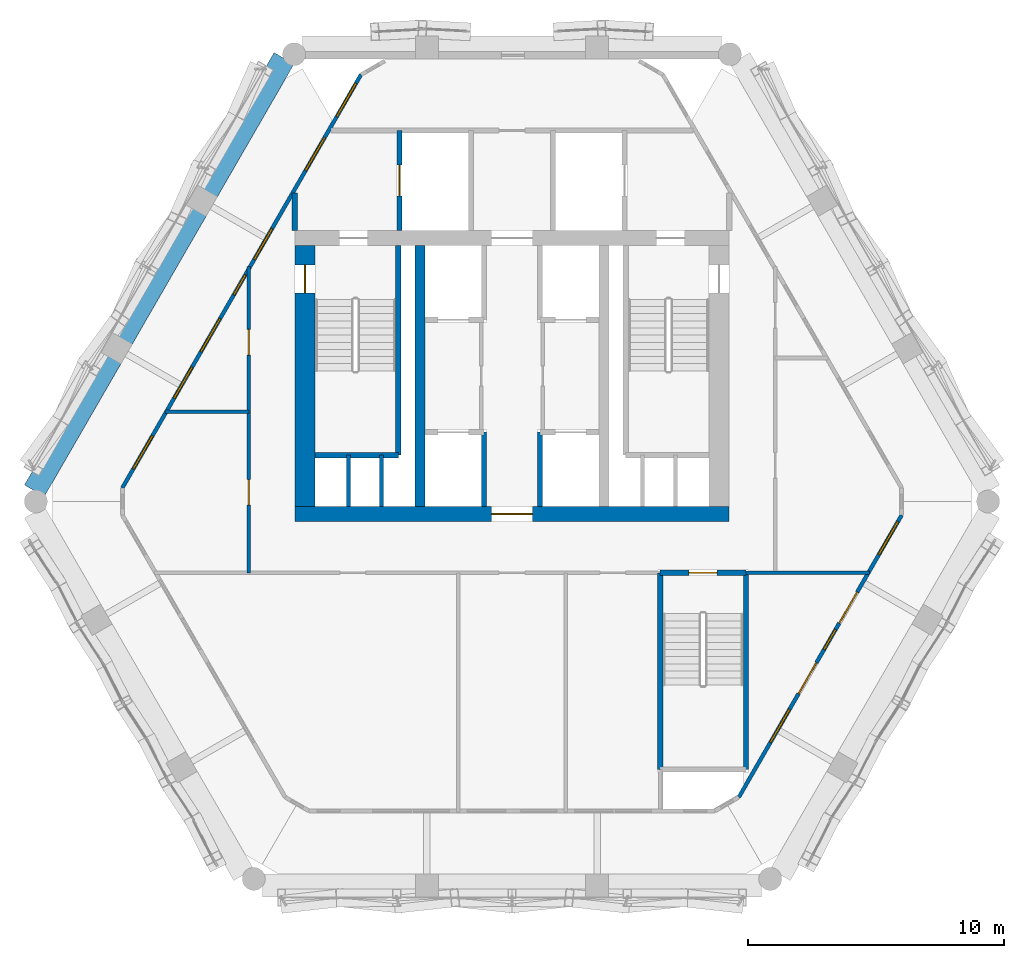
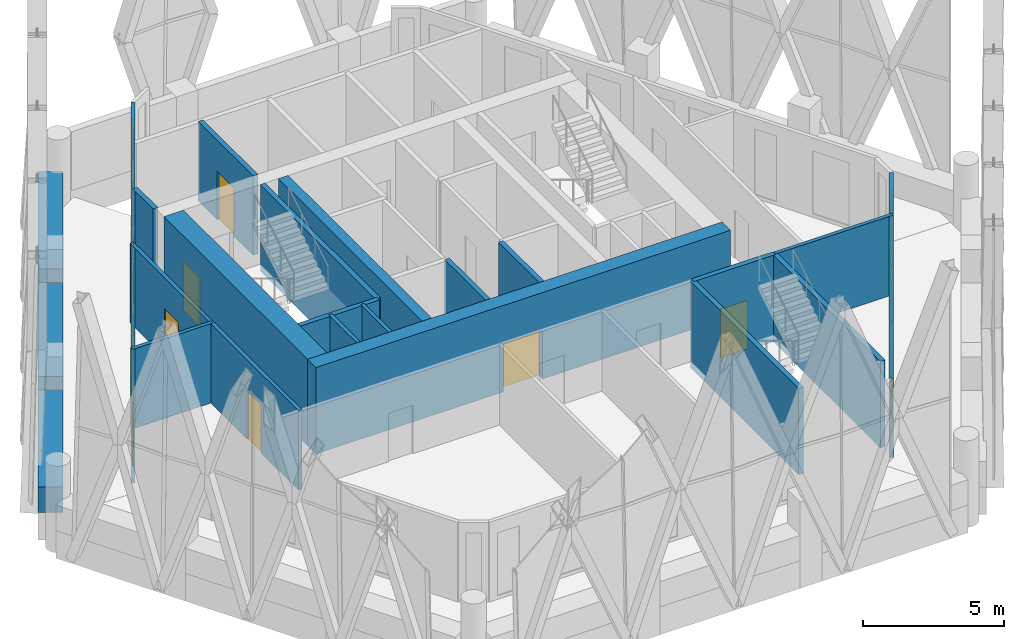
# One storey, part 13 of 21: 22 walls, 10 windows, 8 doors, 18 openings.
"""IFC4 building model written with IfcOpenShell, lengths in metres."""

import ifcopenshell
import ifcopenshell.guid

model = None  # the IFC model being written
_history = None  # IfcOwnerHistory: only IFC2X3 demands one
_inside = {}  # id of a spatial element -> (the spatial element, [elements in it])
_under = {}  # id of a project, library or spatial element -> (it, [spatial elements below it])
_declared = {}  # id of a project -> (the project, [libraries it declares])
_typed = {}  # id of a type object -> (the type object, [elements of that type])
_made_of = {}  # id of a material, layer set ... -> (it, [elements and type objects made of it])


def new_model(schema):
    """Start an empty IFC model of exactly this schema.

    Asked for "IFC4X3", IfcOpenShell would pick the latest addendum, in which some entities
    have other attributes; the version numbers below select the first issue.
    IFC2X3 requires an IfcOwnerHistory on every rooted entity: one is made here for all.
    """
    global model, _history
    if schema == "IFC4X3":
        model = ifcopenshell.file(schema_version=(4, 3, 0, 0))
    else:
        model = ifcopenshell.file(schema=schema)
    _inside.clear()
    _under.clear()
    _declared.clear()
    _typed.clear()
    _made_of.clear()
    _history = None
    if model.schema == "IFC2X3":
        org = make("IfcOrganization", Name="unknown")
        user = make(
            "IfcPersonAndOrganization",
            ThePerson=make("IfcPerson", FamilyName="unknown"),
            TheOrganization=org,
        )
        app = make(
            "IfcApplication",
            ApplicationDeveloper=org,
            Version="unknown",
            ApplicationFullName="unknown",
            ApplicationIdentifier="unknown",
        )
        _history = make(
            "IfcOwnerHistory",
            OwningUser=user,
            OwningApplication=app,
            ChangeAction="ADDED",
            CreationDate=0,
        )
    return model


def make(cls, **values):
    """One entity of the class cls with the attributes given. An attribute that is None is left unset."""
    return model.create_entity(
        cls, **{name: value for name, value in values.items() if value is not None}
    )


def rooted(cls, **values):
    """An entity with a GlobalId (a new one), such as an element, a storey or a relation."""
    return make(cls, GlobalId=ifcopenshell.guid.new(), OwnerHistory=_history, **values)


def si_unit(unit_type, name, prefix=None):
    """IfcSIUnit, for example si_unit("LENGTHUNIT", "METRE", prefix="MILLI")."""
    return make("IfcSIUnit", UnitType=unit_type, Prefix=prefix, Name=name)


def assignment(units):
    """IfcUnitAssignment: the units of a project."""
    return None if units is None else make("IfcUnitAssignment", Units=units)


def point(xyz):
    """IfcCartesianPoint."""
    return None if xyz is None else make("IfcCartesianPoint", Coordinates=xyz)


def direction(xyz):
    """IfcDirection."""
    return None if xyz is None else make("IfcDirection", DirectionRatios=xyz)


def frame(location, z_axis=None, x_axis=None):
    """IfcAxis2Placement3D, a coordinate frame: its origin and axes. An axis left out is left unset."""
    return make(
        "IfcAxis2Placement3D",
        Location=point(location),
        Axis=direction(z_axis),
        RefDirection=direction(x_axis),
    )


def frame_2d(location, x_axis=None):
    """IfcAxis2Placement2D, a coordinate frame in the plane: its origin and x axis."""
    return make(
        "IfcAxis2Placement2D", Location=point(location), RefDirection=direction(x_axis)
    )


def origin():
    """The frame at (0, 0, 0) with its axes left unset."""
    return frame((0.0, 0.0, 0.0))


def place(relative_to, where):
    """IfcLocalPlacement: puts the frame where relative to a parent placement (None: the world)."""
    return make(
        "IfcLocalPlacement", PlacementRelTo=relative_to, RelativePlacement=where
    )


def context(
    kind, dimensions, precision=None, world=None, true_north=None, identifier=None
):
    """IfcGeometricRepresentationContext, for example the 3D "Model" context."""
    return make(
        "IfcGeometricRepresentationContext",
        ContextIdentifier=identifier,
        ContextType=kind,
        CoordinateSpaceDimension=dimensions,
        Precision=precision,
        WorldCoordinateSystem=world,
        TrueNorth=true_north,
    )


def subcontext(parent, identifier, kind, view, scale=None):
    """IfcGeometricRepresentationSubContext, for example "Body" below "Model"."""
    return make(
        "IfcGeometricRepresentationSubContext",
        ContextIdentifier=identifier,
        ContextType=kind,
        ParentContext=parent,
        TargetScale=scale,
        TargetView=view,
    )


def project(units=None, contexts=None):
    """IfcProject with its units and contexts."""
    return rooted(
        "IfcProject",
        Name="project",
        RepresentationContexts=contexts,
        UnitsInContext=assignment(units),
    )


def spatial(cls, under=None, at=None, **own):
    """A site, building, storey or space (cls), placed at a placement, below another one or the project."""
    s = rooted(cls, ObjectPlacement=at, **own)
    if under is not None:
        _under.setdefault(under.id(), (under, []))[1].append(s)
    return s


def profile(cls, at=None, kind="AREA", **sizes):
    """A parametric profile (cls). Its sizes go by their IFC names, for example OverallWidth=200.0."""
    return make(cls, ProfileType=kind, Position=at, **sizes)


def rectangle(**sizes):
    """IfcRectangleProfileDef."""
    return profile("IfcRectangleProfileDef", **sizes)


def extrude(swept, where, along, depth):
    """IfcExtrudedAreaSolid: the profile swept, set in the frame where, extruded along a direction by depth."""
    return make(
        "IfcExtrudedAreaSolid",
        SweptArea=swept,
        Position=where,
        ExtrudedDirection=direction(along),
        Depth=depth,
    )


def shape(context_of_items, identifier, shape_type, items):
    """IfcShapeRepresentation: the items that make up one representation, for example the "Body"."""
    return make(
        "IfcShapeRepresentation",
        ContextOfItems=context_of_items,
        RepresentationIdentifier=identifier,
        RepresentationType=shape_type,
        Items=items,
    )


def material(Name=None, Category=None):
    """IfcMaterial."""
    return make("IfcMaterial", Name=Name, Category=Category)


def layer(
    of_material, thickness, ventilated=None, Name=None, Category=None, Priority=None
):
    """IfcMaterialLayer: one layer of a wall or slab, of a material (None: an air gap)."""
    return make(
        "IfcMaterialLayer",
        Material=of_material,
        LayerThickness=thickness,
        IsVentilated=ventilated,
        Name=Name,
        Category=Category,
        Priority=Priority,
    )


def layer_set(layers, Name=None):
    """IfcMaterialLayerSet."""
    return make("IfcMaterialLayerSet", MaterialLayers=layers, LayerSetName=Name)


def made_of(thing, what):
    """Note that an element or type object is made of a material, layer set ...; save() writes the relation."""
    if what is not None:
        _made_of.setdefault(what.id(), (what, []))[1].append(thing)
    return thing


def type_object(cls, material=None, **own):
    """A type object (cls), such as IfcWallType, which elements share."""
    return made_of(rooted(cls, **own), material)


def element(
    cls,
    number,
    at=None,
    inside=None,
    cuts=None,
    type_object=None,
    material=None,
    context=None,
    identifier="Body",
    shape_type=None,
    held_by="IfcProductDefinitionShape",
    body=None,
    shapes=None,
    **own,
):
    """One element of the class cls, such as IfcWall. Its Tag is "e" and its number.

    at: its placement. inside: the storey or other place that contains it. cuts: it is an
    opening in that element (IfcRelVoidsElement). A single representation is given by context,
    identifier, shape_type and body (its items); several are given by shapes. held_by: the class
    of the entity that holds the representations. save() writes the other relations.
    """
    e = rooted(cls, Tag="e%d" % number, ObjectPlacement=at, **own)
    if body is not None:
        shapes = [shape(context, identifier, shape_type, body)]
    if shapes is not None:
        e.Representation = make(held_by, Representations=shapes)
    if inside is not None:
        _inside.setdefault(inside.id(), (inside, []))[1].append(e)
    if cuts is not None:
        rooted(
            "IfcRelVoidsElement", RelatingBuildingElement=cuts, RelatedOpeningElement=e
        )
    if type_object is not None:
        _typed.setdefault(type_object.id(), (type_object, []))[1].append(e)
    return made_of(e, material)


def fill(opening, filler):
    """IfcRelFillsElement: the door or window that sits in an opening."""
    return rooted(
        "IfcRelFillsElement",
        RelatingOpeningElement=opening,
        RelatedBuildingElement=filler,
    )


def aggregate(whole, parts):
    """IfcRelAggregates: a whole, such as a stair, and the parts it consists of."""
    return rooted("IfcRelAggregates", RelatingObject=whole, RelatedObjects=parts)


def save(model, path):
    """Write the relations noted so far, then the file.

    IfcRelAggregates (storeys below a building ...), IfcRelContainedInSpatialStructure (elements
    in a storey), IfcRelDefinesByType, IfcRelAssociatesMaterial and IfcRelDeclares: one each for
    every whole, place, type object, material and project.
    """
    for whole, parts in _under.values():
        aggregate(whole, parts)
    for where, things in _inside.values():
        rooted(
            "IfcRelContainedInSpatialStructure",
            RelatedElements=things,
            RelatingStructure=where,
        )
    for kind, things in _typed.values():
        rooted("IfcRelDefinesByType", RelatedObjects=things, RelatingType=kind)
    for what, things in _made_of.values():
        rooted("IfcRelAssociatesMaterial", RelatedObjects=things, RelatingMaterial=what)
    for by, libraries in _declared.values():
        rooted("IfcRelDeclares", RelatingContext=by, RelatedDefinitions=libraries)
    model.write(path)


model = new_model("IFC4")

# Units and contexts
model_context = context("Model", 3, precision=1e-05, world=origin(), true_north=direction((0.0, 1.0)))
body_context = subcontext(model_context, "Body", "Model", "MODEL_VIEW")
ifc_project = project(units=[si_unit("LENGTHUNIT", "METRE"), si_unit("AREAUNIT", "SQUARE_METRE"), si_unit("VOLUMEUNIT", "CUBIC_METRE"), si_unit("PLANEANGLEUNIT", "RADIAN"), si_unit("MASSUNIT", "GRAM", prefix="KILO")], contexts=[model_context])

# Site, building, storey
site_placement = place(None, origin())
site = spatial("IfcSite", under=ifc_project, at=site_placement, CompositionType="ELEMENT")
building_placement = place(site_placement, origin())
building = spatial("IfcBuilding", under=site, at=building_placement, Name="Ostrander Bayou Hotel Tower", CompositionType="ELEMENT")
storey_placement = place(building_placement, frame((0.0, 0.0, 256.25)))
storey = spatial("IfcBuildingStorey", under=building, at=storey_placement, Name="L63", CompositionType="ELEMENT", Elevation=256.25)

# Wall, opening, door
ifc_material_1 = material(Name="Concrete f'c 60 MPa", Category="concrete")
ifc_layer_1 = layer(ifc_material_1, 0.60009765625)
ifc_layer_set_1 = layer_set([ifc_layer_1], Name="CW10 core wall 600 mm f'c 60 MPa")
wall_type_1 = type_object("IfcWallType", Name="CW10 core wall 600 mm f'c 60 MPa", PredefinedType="SHEAR", material=ifc_layer_set_1)
wall_1_placement = place(storey_placement, frame((-8.5, -1.39990234375, -0.300048828125), z_axis=(0.0, 0.0, 1.0), x_axis=(1.0, 0.0, 0.0)))
wall_1 = element("IfcWall", 1, at=wall_1_placement, inside=storey, type_object=wall_type_1, Name="CW10 L63 S", PredefinedType="SHEAR", context=body_context, shape_type="SweptSolid", body=[
    extrude(rectangle(XDim=17.0, YDim=0.60009765625, at=frame_2d((8.5, 0.0))), origin(), (0.0, 0.0, 1.0), 3.75),
])
opening_1_placement = place(wall_1_placement, frame((7.699951171875, 0.0, 0.0)))
opening_1 = element("IfcOpeningElement", 2, at=opening_1_placement, cuts=wall_1, Name="Opening T63-005", PredefinedType="OPENING", context=body_context, shape_type="SweptSolid", body=[
    extrude(rectangle(XDim=1.60009765625, YDim=2.10009765625, at=frame_2d((0.800048828125, 1.050048828125))), frame((0.0, 0.300048828125, 0.0), z_axis=(0.0, -1.0, 0.0), x_axis=(1.0, 0.0, 0.0)), (0.0, 0.0, 1.0), 0.60009765625),
])
ifc_material_2 = material(Name="Timber door leaf", Category="wood")
door_type_1 = type_object("IfcDoorType", Name="D13 double door 1600 x 2100 mm, 1 hour", OperationType="SINGLE_SWING_LEFT", PredefinedType="DOOR", material=ifc_material_2)
door_1_placement = place(opening_1_placement, origin())
door_1 = element("IfcDoor", 3, at=door_1_placement, inside=storey, type_object=door_type_1, Name="dr:L63:005", OperationType="DOUBLE_DOOR_SINGLE_SWING", OverallHeight=2.10009765625, OverallWidth=1.60009765625, PredefinedType="DOOR", context=body_context, shape_type="SweptSolid", body=[
    extrude(rectangle(XDim=1.60009765625, YDim=2.10009765625, at=frame_2d((0.800048828125, 1.050048828125))), frame((0.0, 0.02490234375, 0.0), z_axis=(0.0, -1.0, 0.0), x_axis=(1.0, 0.0, 0.0)), (0.0, 0.0, 1.0), 0.050048828125),
])
fill(opening_1, door_1)

ifc_material_3 = material(Name="Concrete f'c 60 MPa", Category="concrete")
ifc_layer_2 = layer(ifc_material_3, 0.800048828125)
ifc_layer_set_2 = layer_set([ifc_layer_2], Name="CW11 core spine wall 800 mm f'c 60 MPa")
wall_type_2 = type_object("IfcWallType", Name="CW11 core spine wall 800 mm f'c 60 MPa", PredefinedType="SHEAR", material=ifc_layer_set_2)
wall_2_placement = place(storey_placement, frame((-8.10009765625, -1.10009765625, -0.300048828125), z_axis=(0.0, 0.0, 1.0), x_axis=(0.0, 1.0, 0.0)))
wall_2 = element("IfcWall", 4, at=wall_2_placement, inside=storey, type_object=wall_type_2, Name="CW11 L63 W", PredefinedType="SHEAR", context=body_context, shape_type="SweptSolid", body=[
    extrude(rectangle(XDim=10.2001953125, YDim=0.800048828125, at=frame_2d((5.10009765625, 0.0))), origin(), (0.0, 0.0, 1.0), 3.75),
])
opening_2_placement = place(wall_2_placement, frame((8.35009765625, 0.0, 0.0)))
opening_2 = element("IfcOpeningElement", 5, at=opening_2_placement, cuts=wall_2, Name="Opening T63-008", PredefinedType="OPENING", context=body_context, shape_type="SweptSolid", body=[
    extrude(rectangle(XDim=1.10009765625, YDim=2.10009765625, at=frame_2d((0.550048828125, 1.050048828125))), frame((0.0, 0.39990234375, 0.0), z_axis=(0.0, -1.0, 0.0), x_axis=(1.0, 0.0, 0.0)), (0.0, 0.0, 1.0), 0.800048828125),
])
ifc_material_4 = material(Name="Timber door leaf", Category="wood")
door_type_2 = type_object("IfcDoorType", Name="D5 stair door 1100 x 2100 mm, 90 minute", OperationType="SINGLE_SWING_LEFT", PredefinedType="DOOR", material=ifc_material_4)
door_2_placement = place(opening_2_placement, origin())
door_2 = element("IfcDoor", 6, at=door_2_placement, inside=storey, type_object=door_type_2, Name="dr:L63:008", OperationType="SINGLE_SWING_RIGHT", OverallHeight=2.10009765625, OverallWidth=1.10009765625, PredefinedType="DOOR", context=body_context, shape_type="SweptSolid", body=[
    extrude(rectangle(XDim=1.10009765625, YDim=2.10009765625, at=frame_2d((0.550048828125, 1.050048828125))), frame((0.0, 0.02490234375, 0.0), z_axis=(0.0, -1.0, 0.0), x_axis=(1.0, 0.0, 0.0)), (0.0, 0.0, 1.0), 0.050048828125),
])
fill(opening_2, door_2)

# Wall
ifc_material_5 = material(Name="Concrete f'c 60 MPa", Category="concrete")
ifc_layer_3 = layer(ifc_material_5, 0.39990234375)
ifc_layer_set_3 = layer_set([ifc_layer_3], Name="CW12 core bank wall 400 mm f'c 60 MPa")
wall_type_3 = type_object("IfcWallType", Name="CW12 core bank wall 400 mm f'c 60 MPa", PredefinedType="SHEAR", material=ifc_layer_set_3)
wall_3_placement = place(storey_placement, frame((-3.60009765625, -1.10009765625, -0.300048828125), z_axis=(0.0, 0.0, 1.0), x_axis=(0.0, 1.0, 0.0)))
element("IfcWall", 7, at=wall_3_placement, inside=storey, type_object=wall_type_3, Name="CW12 L63 CW", PredefinedType="SHEAR", context=body_context, shape_type="SweptSolid", body=[
    extrude(rectangle(XDim=10.2001953125, YDim=0.39990234375, at=frame_2d((5.10009765625, 0.0))), origin(), (0.0, 0.0, 1.0), 3.75),
])

# Wall, openings, windows
ifc_material_6 = material(Name="Aluminium framed insulated wall", Category="aluminium")
ifc_layer_4 = layer(ifc_material_6, 0.14990234375)
ifc_layer_set_4 = layer_set([ifc_layer_4], Name="GW1 glass-line wall 150 mm")
wall_type_4 = type_object("IfcWallType", Name="GW1 glass-line wall 150 mm", PredefinedType="SOLIDWALL", material=ifc_layer_set_4)
wall_4_placement = place(storey_placement, frame((-5.909423828125, 15.79248046875, 0.0), z_axis=(0.0, 0.0, 1.0), x_axis=(-0.500006153997, -0.866021850744, 0.0)))
wall_4 = element("IfcWall", 8, at=wall_4_placement, inside=storey, type_object=wall_type_4, Name="GW1 L63 NW 1", PredefinedType="SOLIDWALL", context=body_context, shape_type="SweptSolid", body=[
    extrude(rectangle(XDim=18.672607421875, YDim=0.14990234375, at=frame_2d((9.33642578125, 0.0))), origin(), (0.0, 0.0, 1.0), 3.449951171875),
])
opening_3_placement = place(wall_4_placement, frame((2.83837890625, 0.0, 0.14990234375)))
opening_3 = element("IfcOpeningElement", 9, at=opening_3_placement, cuts=wall_4, Name="Opening W4", PredefinedType="OPENING", context=body_context, shape_type="SweptSolid", body=[
    extrude(rectangle(XDim=1.5, YDim=2.85009765625, at=frame_2d((0.75, 1.425048828125))), frame((0.0, 0.074951171875, 0.0), z_axis=(0.0, -1.0, 0.0), x_axis=(1.0, 0.0, 0.0)), (0.0, 0.0, 1.0), 0.14990234375),
])
opening_4_placement = place(wall_4_placement, frame((9.052978515625, 0.0, 0.14990234375)))
opening_4 = element("IfcOpeningElement", 10, at=opening_4_placement, cuts=wall_4, Name="Opening W18", PredefinedType="OPENING", context=body_context, shape_type="SweptSolid", body=[
    extrude(rectangle(XDim=0.89990234375, YDim=2.85009765625, at=frame_2d((0.449951171875, 1.425048828125))), frame((0.0, 0.074951171875, 0.0), z_axis=(0.0, -1.0, 0.0), x_axis=(1.0, 0.0, 0.0)), (0.0, 0.0, 1.0), 0.14990234375),
])
opening_5_placement = place(wall_4_placement, frame((6.952880859375, 0.0, 0.14990234375)))
opening_5 = element("IfcOpeningElement", 11, at=opening_5_placement, cuts=wall_4, Name="Opening W14", PredefinedType="OPENING", context=body_context, shape_type="SweptSolid", body=[
    extrude(rectangle(XDim=1.39990234375, YDim=2.85009765625, at=frame_2d((0.699951171875, 1.425048828125))), frame((0.0, 0.074951171875, 0.0), z_axis=(0.0, -1.0, 0.0), x_axis=(1.0, 0.0, 0.0)), (0.0, 0.0, 1.0), 0.14990234375),
])
opening_6_placement = place(wall_4_placement, frame((11.02197265625, 0.0, 0.14990234375)))
opening_6 = element("IfcOpeningElement", 12, at=opening_6_placement, cuts=wall_4, Name="Opening W4", PredefinedType="OPENING", context=body_context, shape_type="SweptSolid", body=[
    extrude(rectangle(XDim=1.5, YDim=2.85009765625, at=frame_2d((0.75, 1.425048828125))), frame((0.0, 0.074951171875, 0.0), z_axis=(0.0, -1.0, 0.0), x_axis=(1.0, 0.0, 0.0)), (0.0, 0.0, 1.0), 0.14990234375),
])
opening_7_placement = place(wall_4_placement, frame((13.221923828125, 0.0, 0.14990234375)))
opening_7 = element("IfcOpeningElement", 13, at=opening_7_placement, cuts=wall_4, Name="Opening W14", PredefinedType="OPENING", context=body_context, shape_type="SweptSolid", body=[
    extrude(rectangle(XDim=1.39990234375, YDim=2.85009765625, at=frame_2d((0.699951171875, 1.425048828125))), frame((0.0, 0.074951171875, 0.0), z_axis=(0.0, -1.0, 0.0), x_axis=(1.0, 0.0, 0.0)), (0.0, 0.0, 1.0), 0.14990234375),
])
opening_8_placement = place(wall_4_placement, frame((0.394287109375, 0.0, 0.14990234375)))
opening_8 = element("IfcOpeningElement", 14, at=opening_8_placement, cuts=wall_4, Name="Opening W4", PredefinedType="OPENING", context=body_context, shape_type="SweptSolid", body=[
    extrude(rectangle(XDim=1.5, YDim=2.72998046875, at=frame_2d((0.75, 1.364990234375))), frame((0.0, 0.074951171875, 0.0), z_axis=(0.0, -1.0, 0.0), x_axis=(1.0, 0.0, 0.0)), (0.0, 0.0, 1.0), 0.14990234375),
])
opening_9_placement = place(wall_4_placement, frame((16.31591796875, 0.0, 0.14990234375)))
opening_9 = element("IfcOpeningElement", 15, at=opening_9_placement, cuts=wall_4, Name="Opening W4", PredefinedType="OPENING", context=body_context, shape_type="SweptSolid", body=[
    extrude(rectangle(XDim=1.5, YDim=2.72998046875, at=frame_2d((0.75, 1.364990234375))), frame((0.0, 0.074951171875, 0.0), z_axis=(0.0, -1.0, 0.0), x_axis=(1.0, 0.0, 0.0)), (0.0, 0.0, 1.0), 0.14990234375),
])
ifc_material_7 = material(Name="Aluminium and clear glass", Category="aluminium")
window_type_1 = type_object("IfcWindowType", Name="W14 fixed window 1400 mm, bath bay, zone 4", PartitioningType="SINGLE_PANEL", PredefinedType="WINDOW", material=ifc_material_7)
window_1_placement = place(opening_5_placement, origin())
window_1 = element("IfcWindow", 16, at=window_1_placement, inside=storey, type_object=window_type_1, Name="W14 L63 NW 2", OverallHeight=2.85009765625, OverallWidth=1.39990234375, PartitioningType="SINGLE_PANEL", PredefinedType="WINDOW", context=body_context, shape_type="SweptSolid", body=[
    extrude(rectangle(XDim=1.39990234375, YDim=2.85009765625, at=frame_2d((0.699951171875, 1.425048828125))), frame((0.0, 0.030029296875, 0.0), z_axis=(0.0, -1.0, 0.0), x_axis=(1.0, 0.0, 0.0)), (0.0, 0.0, 1.0), 0.06005859375),
])
fill(opening_5, window_1)
window_2_placement = place(opening_7_placement, origin())
window_2 = element("IfcWindow", 17, at=window_2_placement, inside=storey, type_object=window_type_1, Name="W14 L63 NW 3", OverallHeight=2.85009765625, OverallWidth=1.39990234375, PartitioningType="SINGLE_PANEL", PredefinedType="WINDOW", context=body_context, shape_type="SweptSolid", body=[
    extrude(rectangle(XDim=1.39990234375, YDim=2.85009765625, at=frame_2d((0.699951171875, 1.425048828125))), frame((0.0, 0.030029296875, 0.0), z_axis=(0.0, -1.0, 0.0), x_axis=(1.0, 0.0, 0.0)), (0.0, 0.0, 1.0), 0.06005859375),
])
fill(opening_7, window_2)
ifc_material_8 = material(Name="Aluminium and clear glass", Category="aluminium")
window_type_2 = type_object("IfcWindowType", Name="W18 window 900 mm, zone 4", PartitioningType="SINGLE_PANEL", PredefinedType="WINDOW", material=ifc_material_8)
window_3_placement = place(opening_4_placement, origin())
window_3 = element("IfcWindow", 18, at=window_3_placement, inside=storey, type_object=window_type_2, Name="W18 L63 NW 2", OverallHeight=2.85009765625, OverallWidth=0.89990234375, PartitioningType="SINGLE_PANEL", PredefinedType="WINDOW", context=body_context, shape_type="SweptSolid", body=[
    extrude(rectangle(XDim=0.89990234375, YDim=2.85009765625, at=frame_2d((0.449951171875, 1.425048828125))), frame((0.0, 0.030029296875, 0.0), z_axis=(0.0, -1.0, 0.0), x_axis=(1.0, 0.0, 0.0)), (0.0, 0.0, 1.0), 0.06005859375),
])
fill(opening_4, window_3)
ifc_material_9 = material(Name="Aluminium and clear glass", Category="aluminium")
window_type_3 = type_object("IfcWindowType", Name="W4 fixed window 1500 mm, zone 4", PartitioningType="SINGLE_PANEL", PredefinedType="WINDOW", material=ifc_material_9)
window_4_placement = place(opening_3_placement, origin())
window_4 = element("IfcWindow", 19, at=window_4_placement, inside=storey, type_object=window_type_3, Name="W4 L63 NW 1", OverallHeight=2.85009765625, OverallWidth=1.5, PartitioningType="SINGLE_PANEL", PredefinedType="WINDOW", context=body_context, shape_type="SweptSolid", body=[
    extrude(rectangle(XDim=1.5, YDim=2.85009765625, at=frame_2d((0.75, 1.425048828125))), frame((0.0, 0.030029296875, 0.0), z_axis=(0.0, -1.0, 0.0), x_axis=(1.0, 0.0, 0.0)), (0.0, 0.0, 1.0), 0.06005859375),
])
fill(opening_3, window_4)
window_5_placement = place(opening_6_placement, origin())
window_5 = element("IfcWindow", 20, at=window_5_placement, inside=storey, type_object=window_type_3, Name="W4 L63 NW 3", OverallHeight=2.85009765625, OverallWidth=1.5, PartitioningType="SINGLE_PANEL", PredefinedType="WINDOW", context=body_context, shape_type="SweptSolid", body=[
    extrude(rectangle(XDim=1.5, YDim=2.85009765625, at=frame_2d((0.75, 1.425048828125))), frame((0.0, 0.030029296875, 0.0), z_axis=(0.0, -1.0, 0.0), x_axis=(1.0, 0.0, 0.0)), (0.0, 0.0, 1.0), 0.06005859375),
])
fill(opening_6, window_5)
window_6_placement = place(opening_8_placement, origin())
window_6 = element("IfcWindow", 21, at=window_6_placement, inside=storey, type_object=window_type_3, Name="W4 L63 NW E11", OverallHeight=2.72998046875, OverallWidth=1.5, PartitioningType="SINGLE_PANEL", PredefinedType="WINDOW", context=body_context, shape_type="SweptSolid", body=[
    extrude(rectangle(XDim=1.5, YDim=2.72998046875, at=frame_2d((0.75, 1.364990234375))), frame((0.0, 0.030029296875, 0.0), z_axis=(0.0, -1.0, 0.0), x_axis=(1.0, 0.0, 0.0)), (0.0, 0.0, 1.0), 0.06005859375),
])
fill(opening_8, window_6)
window_7_placement = place(opening_9_placement, origin())
window_7 = element("IfcWindow", 22, at=window_7_placement, inside=storey, type_object=window_type_3, Name="W4 L63 NW E21", OverallHeight=2.72998046875, OverallWidth=1.5, PartitioningType="SINGLE_PANEL", PredefinedType="WINDOW", context=body_context, shape_type="SweptSolid", body=[
    extrude(rectangle(XDim=1.5, YDim=2.72998046875, at=frame_2d((0.75, 1.364990234375))), frame((0.0, 0.030029296875, 0.0), z_axis=(0.0, -1.0, 0.0), x_axis=(1.0, 0.0, 0.0)), (0.0, 0.0, 1.0), 0.06005859375),
])
fill(opening_9, window_7)

# Wall, openings, doors, windows
wall_5_placement = place(storey_placement, frame((8.873046875, -12.4814453125, 0.0), z_axis=(0.0, 0.0, 1.0), x_axis=(0.500005990458, 0.866021945164, 0.0)))
wall_5 = element("IfcWall", 23, at=wall_5_placement, inside=storey, type_object=wall_type_4, Name="GW1 L63 SE 1", PredefinedType="SOLIDWALL", context=body_context, shape_type="SweptSolid", body=[
    extrude(rectangle(XDim=12.745361328125, YDim=0.14990234375, at=frame_2d((6.37255859375, 0.0))), origin(), (0.0, 0.0, 1.0), 3.449951171875),
])
opening_10_placement = place(wall_5_placement, frame((2.472900390625, 0.0, 0.14990234375)))
opening_10 = element("IfcOpeningElement", 24, at=opening_10_placement, cuts=wall_5, Name="Opening W4", PredefinedType="OPENING", context=body_context, shape_type="SweptSolid", body=[
    extrude(rectangle(XDim=1.5, YDim=2.85009765625, at=frame_2d((0.75, 1.425048828125))), frame((0.0, 0.074951171875, 0.0), z_axis=(0.0, -1.0, 0.0), x_axis=(1.0, 0.0, 0.0)), (0.0, 0.0, 1.0), 0.14990234375),
])
opening_11_placement = place(wall_5_placement, frame((4.6728515625, 0.0, 0.0)))
opening_11 = element("IfcOpeningElement", 25, at=opening_11_placement, cuts=wall_5, Name="Opening T63-800", PredefinedType="OPENING", context=body_context, shape_type="SweptSolid", body=[
    extrude(rectangle(XDim=1.39990234375, YDim=2.39990234375, at=frame_2d((0.699951171875, 1.199951171875))), frame((0.0, 0.074951171875, 0.0), z_axis=(0.0, -1.0, 0.0), x_axis=(1.0, 0.0, 0.0)), (0.0, 0.0, 1.0), 0.14990234375),
])
opening_12_placement = place(wall_5_placement, frame((6.6728515625, 0.0, 0.14990234375)))
opening_12 = element("IfcOpeningElement", 26, at=opening_12_placement, cuts=wall_5, Name="Opening W18", PredefinedType="OPENING", context=body_context, shape_type="SweptSolid", body=[
    extrude(rectangle(XDim=0.89990234375, YDim=2.85009765625, at=frame_2d((0.449951171875, 1.425048828125))), frame((0.0, 0.074951171875, 0.0), z_axis=(0.0, -1.0, 0.0), x_axis=(1.0, 0.0, 0.0)), (0.0, 0.0, 1.0), 0.14990234375),
])
opening_13_placement = place(wall_5_placement, frame((7.865966796875, 0.0, 0.0)))
opening_13 = element("IfcOpeningElement", 27, at=opening_13_placement, cuts=wall_5, Name="Opening T63-801", PredefinedType="OPENING", context=body_context, shape_type="SweptSolid", body=[
    extrude(rectangle(XDim=1.39990234375, YDim=2.39990234375, at=frame_2d((0.699951171875, 1.199951171875))), frame((0.0, 0.074951171875, 0.0), z_axis=(0.0, -1.0, 0.0), x_axis=(1.0, 0.0, 0.0)), (0.0, 0.0, 1.0), 0.14990234375),
])
opening_14_placement = place(wall_5_placement, frame((10.959228515625, 0.0, 0.14990234375)))
opening_14 = element("IfcOpeningElement", 28, at=opening_14_placement, cuts=wall_5, Name="Opening W4", PredefinedType="OPENING", context=body_context, shape_type="SweptSolid", body=[
    extrude(rectangle(XDim=1.5, YDim=2.72998046875, at=frame_2d((0.75, 1.364990234375))), frame((0.0, 0.074951171875, 0.0), z_axis=(0.0, -1.0, 0.0), x_axis=(1.0, 0.0, 0.0)), (0.0, 0.0, 1.0), 0.14990234375),
])
ifc_material_10 = material(Name="Aluminium and clear glass", Category="aluminium")
door_type_3 = type_object("IfcDoorType", Name="SD4 sliding glass door 1400 mm, zone 4", OperationType="SLIDING_TO_LEFT", PredefinedType="DOOR", material=ifc_material_10)
door_3_placement = place(opening_11_placement, origin())
door_3 = element("IfcDoor", 29, at=door_3_placement, inside=storey, type_object=door_type_3, Name="SD4 L63 SE 1", OperationType="SLIDING_TO_LEFT", OverallHeight=2.39990234375, OverallWidth=1.39990234375, PredefinedType="DOOR", context=body_context, shape_type="SweptSolid", body=[
    extrude(rectangle(XDim=1.39990234375, YDim=2.39990234375, at=frame_2d((0.699951171875, 1.199951171875))), frame((0.0, 0.02490234375, 0.0), z_axis=(0.0, -1.0, 0.0), x_axis=(1.0, 0.0, 0.0)), (0.0, 0.0, 1.0), 0.050048828125),
])
fill(opening_11, door_3)
door_4_placement = place(opening_13_placement, origin())
door_4 = element("IfcDoor", 30, at=door_4_placement, inside=storey, type_object=door_type_3, Name="SD4 L63 SE 2", OperationType="SLIDING_TO_RIGHT", OverallHeight=2.39990234375, OverallWidth=1.39990234375, PredefinedType="DOOR", context=body_context, shape_type="SweptSolid", body=[
    extrude(rectangle(XDim=1.39990234375, YDim=2.39990234375, at=frame_2d((0.699951171875, 1.199951171875))), frame((0.0, 0.02490234375, 0.0), z_axis=(0.0, -1.0, 0.0), x_axis=(1.0, 0.0, 0.0)), (0.0, 0.0, 1.0), 0.050048828125),
])
fill(opening_13, door_4)
window_8_placement = place(opening_12_placement, origin())
window_8 = element("IfcWindow", 31, at=window_8_placement, inside=storey, type_object=window_type_2, Name="W18 L63 SE 2", OverallHeight=2.85009765625, OverallWidth=0.89990234375, PartitioningType="SINGLE_PANEL", PredefinedType="WINDOW", context=body_context, shape_type="SweptSolid", body=[
    extrude(rectangle(XDim=0.89990234375, YDim=2.85009765625, at=frame_2d((0.449951171875, 1.425048828125))), frame((0.0, 0.030029296875, 0.0), z_axis=(0.0, -1.0, 0.0), x_axis=(1.0, 0.0, 0.0)), (0.0, 0.0, 1.0), 0.06005859375),
])
fill(opening_12, window_8)
window_9_placement = place(opening_10_placement, origin())
window_9 = element("IfcWindow", 32, at=window_9_placement, inside=storey, type_object=window_type_3, Name="W4 L63 SE 1", OverallHeight=2.85009765625, OverallWidth=1.5, PartitioningType="SINGLE_PANEL", PredefinedType="WINDOW", context=body_context, shape_type="SweptSolid", body=[
    extrude(rectangle(XDim=1.5, YDim=2.85009765625, at=frame_2d((0.75, 1.425048828125))), frame((0.0, 0.030029296875, 0.0), z_axis=(0.0, -1.0, 0.0), x_axis=(1.0, 0.0, 0.0)), (0.0, 0.0, 1.0), 0.06005859375),
])
fill(opening_10, window_9)
window_10_placement = place(opening_14_placement, origin())
window_10 = element("IfcWindow", 33, at=window_10_placement, inside=storey, type_object=window_type_3, Name="W4 L63 SE E21", OverallHeight=2.72998046875, OverallWidth=1.5, PartitioningType="SINGLE_PANEL", PredefinedType="WINDOW", context=body_context, shape_type="SweptSolid", body=[
    extrude(rectangle(XDim=1.5, YDim=2.72998046875, at=frame_2d((0.75, 1.364990234375))), frame((0.0, 0.030029296875, 0.0), z_axis=(0.0, -1.0, 0.0), x_axis=(1.0, 0.0, 0.0)), (0.0, 0.0, 1.0), 0.06005859375),
])
fill(opening_14, window_10)

# Walls
ifc_material_11 = material(Name="Concrete f'c 40 MPa", Category="concrete")
ifc_layer_5 = layer(ifc_material_11, 0.89990234375)
ifc_layer_set_5 = layer_set([ifc_layer_5], Name="PA1 stone-faced parapet 900 mm")
wall_type_5 = type_object("IfcWallType", Name="PA1 stone-faced parapet 900 mm", PredefinedType="PARAPET", material=ifc_layer_set_5)
wall_6_placement = place(storey_placement, frame((-8.919921875, 16.427978515625, 0.0), z_axis=(0.0, 0.0, 1.0), x_axis=(-0.500026811154, -0.866009923804, 0.0)))
element("IfcWall", 34, at=wall_6_placement, inside=storey, type_object=wall_type_5, Name="PA1 L63 NW-1", PredefinedType="PARAPET", context=body_context, shape_type="SweptSolid", body=[
    extrude(rectangle(XDim=6.017822265625, YDim=0.89990234375, at=frame_2d((3.0087890625, 0.0))), origin(), (0.0, 0.0, 1.0), 1.10009765625),
])
wall_7_placement = place(storey_placement, frame((-12.348876953125, 10.489013671875, 0.0), z_axis=(0.0, 0.0, 1.0), x_axis=(-0.500015433515, -0.866016493057, 0.0)))
element("IfcWall", 35, at=wall_7_placement, inside=storey, type_object=wall_type_5, Name="PA1 L63 NW-2", PredefinedType="PARAPET", context=body_context, shape_type="SweptSolid", body=[
    extrude(rectangle(XDim=5.818603515625, YDim=0.89990234375, at=frame_2d((2.9091796875, 0.0))), origin(), (0.0, 0.0, 1.0), 1.10009765625),
])
wall_8_placement = place(storey_placement, frame((-15.67822265625, 4.722412109375, 0.0), z_axis=(0.0, 0.0, 1.0), x_axis=(-0.499996383721, -0.866027491634, 0.0)))
element("IfcWall", 36, at=wall_8_placement, inside=storey, type_object=wall_type_5, Name="PA1 L63 NW-3", PredefinedType="PARAPET", context=body_context, shape_type="SweptSolid", body=[
    extrude(rectangle(XDim=6.017578125, YDim=0.89990234375, at=frame_2d((3.0087890625, 0.0))), origin(), (0.0, 0.0, 1.0), 1.10009765625),
])
ifc_material_12 = material(Name="Masonry block", Category="masonry")
ifc_layer_6 = layer(ifc_material_12, 0.199951171875)
ifc_layer_set_6 = layer_set([ifc_layer_6], Name="PT5 stair enclosure wall 200 mm masonry, 2 hour")
wall_type_6 = type_object("IfcWallType", Name="PT5 stair enclosure wall 200 mm masonry, 2 hour", PredefinedType="PARTITIONING", material=ifc_layer_set_6)
wall_9_placement = place(storey_placement, frame((-8.5, 9.699951171875, 0.0), z_axis=(0.0, 0.0, 1.0), x_axis=(0.0, 1.0, 0.0)))
element("IfcWall", 37, at=wall_9_placement, inside=storey, type_object=wall_type_6, Name="cs:L63:023", PredefinedType="PARTITIONING", context=body_context, shape_type="SweptSolid", body=[
    extrude(rectangle(XDim=1.45556640625, YDim=0.199951171875, at=frame_2d((0.727783203125, 0.0))), origin(), (0.0, 0.0, 1.0), 3.449951171875),
])

# Wall, opening, door
wall_10_placement = place(storey_placement, frame((-4.39990234375, 9.699951171875, 0.0), z_axis=(0.0, 0.0, 1.0), x_axis=(0.0, 1.0, 0.0)))
wall_10 = element("IfcWall", 38, at=wall_10_placement, inside=storey, type_object=wall_type_6, Name="cs:L63:025", PredefinedType="PARTITIONING", context=body_context, shape_type="SweptSolid", body=[
    extrude(rectangle(XDim=3.900146484375, YDim=0.199951171875, at=frame_2d((1.9501953125, 0.0))), origin(), (0.0, 0.0, 1.0), 3.449951171875),
])
opening_15_placement = place(wall_10_placement, frame((1.35009765625, 0.0, 0.0)))
opening_15 = element("IfcOpeningElement", 39, at=opening_15_placement, cuts=wall_10, Name="Opening T63-012", PredefinedType="OPENING", context=body_context, shape_type="SweptSolid", body=[
    extrude(rectangle(XDim=1.199951171875, YDim=2.10009765625, at=frame_2d((0.60009765625, 1.050048828125))), frame((0.0, 0.10009765625, 0.0), z_axis=(0.0, -1.0, 0.0), x_axis=(1.0, 0.0, 0.0)), (0.0, 0.0, 1.0), 0.199951171875),
])
ifc_material_13 = material(Name="Stainless steel sliding door", Category="steel")
door_type_4 = type_object("IfcDoorType", Name="LD1 lift landing door 1200 x 2100 mm", OperationType="SINGLE_SWING_LEFT", PredefinedType="DOOR", material=ifc_material_13)
door_5_placement = place(opening_15_placement, origin())
door_5 = element("IfcDoor", 40, at=door_5_placement, inside=storey, type_object=door_type_4, Name="dr:L63:012", OperationType="SLIDING_TO_LEFT", OverallHeight=2.10009765625, OverallWidth=1.199951171875, PredefinedType="DOOR", context=body_context, shape_type="SweptSolid", body=[
    extrude(rectangle(XDim=1.199951171875, YDim=2.10009765625, at=frame_2d((0.60009765625, 1.050048828125))), frame((0.0, 0.02490234375, 0.0), z_axis=(0.0, -1.0, 0.0), x_axis=(1.0, 0.0, 0.0)), (0.0, 0.0, 1.0), 0.050048828125),
])
fill(opening_15, door_5)

# Walls
ifc_material_14 = material(Name="Masonry block", Category="masonry")
ifc_layer_7 = layer(ifc_material_14, 0.199951171875)
ifc_layer_set_7 = layer_set([ifc_layer_7], Name="PT6 lift shaft wall 200 mm masonry, 2 hour")
wall_type_7 = type_object("IfcWallType", Name="PT6 lift shaft wall 200 mm masonry, 2 hour", PredefinedType="PARTITIONING", material=ifc_layer_set_7)
for number, where, z_axis, x_axis, name in (
    (41, (-1.10009765625, -1.10009765625, 0.0), (0.0, 0.0, 1.0), (0.0, 1.0, 0.0), "cs:L63:005"),
    (42, (1.10009765625, -1.10009765625, 0.0), (0.0, 0.0, 1.0), (0.0, 1.0, 0.0), "cs:L63:006"),
):
    element("IfcWall", number, at=place(storey_placement, frame(where, z_axis=z_axis, x_axis=x_axis)), inside=storey, type_object=wall_type_7, Name=name, PredefinedType="PARTITIONING", context=body_context, shape_type="SweptSolid", body=[
        extrude(rectangle(XDim=2.900146484375, YDim=0.199951171875, at=frame_2d((1.4501953125, 0.0))), origin(), (0.0, 0.0, 1.0), 3.449951171875),
    ])
ifc_material_15 = material(Name="Gypsum board partition", Category="finish")
ifc_layer_8 = layer(ifc_material_15, 0.14990234375)
ifc_layer_set_8 = layer_set([ifc_layer_8], Name="PT7 riser wall 150 mm, 2 hour")
wall_type_8 = type_object("IfcWallType", Name="PT7 riser wall 150 mm, 2 hour", PredefinedType="PARTITIONING", material=ifc_layer_set_8)
for number, where, z_axis, x_axis, name in (
    (43, (-6.39990234375, -1.10009765625, 0.0), (0.0, 0.0, 1.0), (0.0, 1.0, 0.0), "cs:L63:011"),
    (44, (-5.10009765625, -1.10009765625, 0.0), (0.0, 0.0, 1.0), (0.0, 1.0, 0.0), "cs:L63:012"),
):
    element("IfcWall", number, at=place(storey_placement, frame(where, z_axis=z_axis, x_axis=x_axis)), inside=storey, type_object=wall_type_8, Name=name, PredefinedType="PARTITIONING", context=body_context, shape_type="SweptSolid", body=[
        extrude(rectangle(XDim=2.0, YDim=0.14990234375, at=frame_2d((1.0, 0.0))), origin(), (0.0, 0.0, 1.0), 3.449951171875),
    ])
ifc_material_16 = material(Name="Gypsum board partition", Category="finish")
ifc_layer_9 = layer(ifc_material_16, 0.14990234375)
ifc_layer_set_9 = layer_set([ifc_layer_9], Name="PT8 service band wall 150 mm, 1 hour")
wall_type_9 = type_object("IfcWallType", Name="PT8 service band wall 150 mm, 1 hour", PredefinedType="PARTITIONING", material=ifc_layer_set_9)
wall_11_placement = place(storey_placement, frame((9.159912109375, -3.699951171875, 0.0), z_axis=(0.0, 0.0, 1.0), x_axis=(1.0, 0.0, 0.0)))
element("IfcWall", 45, at=wall_11_placement, inside=storey, type_object=wall_type_9, Name="gw:L63:002", PredefinedType="PARTITIONING", context=body_context, shape_type="SweptSolid", body=[
    extrude(rectangle(XDim=4.835205078125, YDim=0.14990234375, at=frame_2d((2.41748046875, 0.0))), origin(), (0.0, 0.0, 1.0), 3.449951171875),
])
wall_12_placement = place(storey_placement, frame((-13.577880859375, 2.60009765625, 0.0), z_axis=(0.0, 0.0, 1.0), x_axis=(1.0, 0.0, 0.0)))
element("IfcWall", 46, at=wall_12_placement, inside=storey, type_object=wall_type_9, Name="gw:L63:003", PredefinedType="PARTITIONING", context=body_context, shape_type="SweptSolid", body=[
    extrude(rectangle(XDim=3.27783203125, YDim=0.14990234375, at=frame_2d((1.638916015625, 0.0))), origin(), (0.0, 0.0, 1.0), 3.449951171875),
])

# Wall, openings, doors
wall_13_placement = place(storey_placement, frame((-10.300048828125, -3.699951171875, 0.0), z_axis=(0.0, 0.0, 1.0), x_axis=(0.0, 1.0, 0.0)))
wall_13 = element("IfcWall", 47, at=wall_13_placement, inside=storey, type_object=wall_type_9, Name="gw:L63:009", PredefinedType="PARTITIONING", context=body_context, shape_type="SweptSolid", body=[
    extrude(rectangle(XDim=11.97802734375, YDim=0.14990234375, at=frame_2d((5.989013671875, 0.0))), origin(), (0.0, 0.0, 1.0), 3.449951171875),
])
opening_16_placement = place(wall_13_placement, frame((2.64990234375, 0.0, 0.0)))
opening_16 = element("IfcOpeningElement", 48, at=opening_16_placement, cuts=wall_13, Name="Opening T63-403", PredefinedType="OPENING", context=body_context, shape_type="SweptSolid", body=[
    extrude(rectangle(XDim=1.0, YDim=2.10009765625, at=frame_2d((0.5, 1.050048828125))), frame((0.0, 0.074951171875, 0.0), z_axis=(0.0, -1.0, 0.0), x_axis=(1.0, 0.0, 0.0)), (0.0, 0.0, 1.0), 0.14990234375),
])
opening_17_placement = place(wall_13_placement, frame((8.52001953125, 0.0, 0.0)))
opening_17 = element("IfcOpeningElement", 49, at=opening_17_placement, cuts=wall_13, Name="Opening T63-404", PredefinedType="OPENING", context=body_context, shape_type="SweptSolid", body=[
    extrude(rectangle(XDim=1.0, YDim=2.10009765625, at=frame_2d((0.5, 1.050048828125))), frame((0.0, 0.074951171875, 0.0), z_axis=(0.0, -1.0, 0.0), x_axis=(1.0, 0.0, 0.0)), (0.0, 0.0, 1.0), 0.14990234375),
])
ifc_material_17 = material(Name="Timber door leaf", Category="wood")
door_type_5 = type_object("IfcDoorType", Name="D15 room door 1000 x 2100 mm", OperationType="SINGLE_SWING_LEFT", PredefinedType="DOOR", material=ifc_material_17)
door_6_placement = place(opening_16_placement, origin())
door_6 = element("IfcDoor", 50, at=door_6_placement, inside=storey, type_object=door_type_5, Name="dr:L63:403", OperationType="SINGLE_SWING_RIGHT", OverallHeight=2.10009765625, OverallWidth=1.0, PredefinedType="DOOR", context=body_context, shape_type="SweptSolid", body=[
    extrude(rectangle(XDim=1.0, YDim=2.10009765625, at=frame_2d((0.5, 1.050048828125))), frame((0.0, 0.02490234375, 0.0), z_axis=(0.0, -1.0, 0.0), x_axis=(1.0, 0.0, 0.0)), (0.0, 0.0, 1.0), 0.050048828125),
])
fill(opening_16, door_6)
ifc_material_18 = material(Name="Timber door leaf", Category="wood")
door_type_6 = type_object("IfcDoorType", Name="D9 service door 1000 x 2100 mm, 30 minute", OperationType="SINGLE_SWING_LEFT", PredefinedType="DOOR", material=ifc_material_18)
door_7_placement = place(opening_17_placement, origin())
door_7 = element("IfcDoor", 51, at=door_7_placement, inside=storey, type_object=door_type_6, Name="dr:L63:404", OperationType="SINGLE_SWING_LEFT", OverallHeight=2.10009765625, OverallWidth=1.0, PredefinedType="DOOR", context=body_context, shape_type="SweptSolid", body=[
    extrude(rectangle(XDim=1.0, YDim=2.10009765625, at=frame_2d((0.5, 1.050048828125))), frame((0.0, 0.02490234375, 0.0), z_axis=(0.0, -1.0, 0.0), x_axis=(1.0, 0.0, 0.0)), (0.0, 0.0, 1.0), 0.050048828125),
])
fill(opening_17, door_7)

# Walls
ifc_material_19 = material(Name="Concrete f'c 45 MPa", Category="concrete")
ifc_layer_10 = layer(ifc_material_19, 0.199951171875)
ifc_layer_set_10 = layer_set([ifc_layer_10], Name="SW5 stair enclosure wall 200 mm f'c 45 MPa")
wall_type_10 = type_object("IfcWallType", Name="SW5 stair enclosure wall 200 mm f'c 45 MPa", PredefinedType="SOLIDWALL", material=ifc_layer_set_10)
wall_14_placement = place(storey_placement, frame((-4.449951171875, 0.89990234375, -0.300048828125), z_axis=(0.0, 0.0, 1.0), x_axis=(0.0, 1.0, 0.0)))
element("IfcWall", 52, at=wall_14_placement, inside=storey, type_object=wall_type_10, Name="cs:L63:009", PredefinedType="SOLIDWALL", context=body_context, shape_type="SweptSolid", body=[
    extrude(rectangle(XDim=8.2001953125, YDim=0.199951171875, at=frame_2d((4.10009765625, 0.0))), origin(), (0.0, 0.0, 1.0), 3.75),
])
wall_15_placement = place(storey_placement, frame((-7.699951171875, 0.89990234375, -0.300048828125), z_axis=(0.0, 0.0, 1.0), x_axis=(1.0, 0.0, 0.0)))
element("IfcWall", 53, at=wall_15_placement, inside=storey, type_object=wall_type_10, Name="cs:L63:010", PredefinedType="SOLIDWALL", context=body_context, shape_type="SweptSolid", body=[
    extrude(rectangle(XDim=3.25, YDim=0.199951171875, at=frame_2d((1.625, 0.0))), origin(), (0.0, 0.0, 1.0), 3.75),
])

# Wall, opening, door
wall_16_placement = place(storey_placement, frame((5.800048828125, -3.699951171875, -0.300048828125), z_axis=(0.0, 0.0, 1.0), x_axis=(1.0, 0.0, 0.0)))
wall_16 = element("IfcWall", 54, at=wall_16_placement, inside=storey, type_object=wall_type_10, Name="cs:L63:017", PredefinedType="SOLIDWALL", context=body_context, shape_type="SweptSolid", body=[
    extrude(rectangle(XDim=3.349853515625, YDim=0.199951171875, at=frame_2d((1.6748046875, 0.0))), origin(), (0.0, 0.0, 1.0), 3.75),
])
opening_18_placement = place(wall_16_placement, frame((1.125, 0.0, 0.0)))
opening_18 = element("IfcOpeningElement", 55, at=opening_18_placement, cuts=wall_16, Name="Opening T63-011", PredefinedType="OPENING", context=body_context, shape_type="SweptSolid", body=[
    extrude(rectangle(XDim=1.10009765625, YDim=2.10009765625, at=frame_2d((0.550048828125, 1.050048828125))), frame((0.0, 0.10009765625, 0.0), z_axis=(0.0, -1.0, 0.0), x_axis=(1.0, 0.0, 0.0)), (0.0, 0.0, 1.0), 0.199951171875),
])
door_8_placement = place(opening_18_placement, origin())
door_8 = element("IfcDoor", 56, at=door_8_placement, inside=storey, type_object=door_type_2, Name="dr:L63:011", OperationType="SINGLE_SWING_LEFT", OverallHeight=2.10009765625, OverallWidth=1.10009765625, PredefinedType="DOOR", context=body_context, shape_type="SweptSolid", body=[
    extrude(rectangle(XDim=1.10009765625, YDim=2.10009765625, at=frame_2d((0.550048828125, 1.050048828125))), frame((0.0, 0.02490234375, 0.0), z_axis=(0.0, -1.0, 0.0), x_axis=(1.0, 0.0, 0.0)), (0.0, 0.0, 1.0), 0.050048828125),
])
fill(opening_18, door_8)

# Walls
for number, where, z_axis, x_axis, name in (
    (57, (5.800048828125, -3.699951171875, -0.300048828125), (0.0, 0.0, 1.0), (0.0, -1.0, 0.0), "cs:L63:018"),
    (58, (9.14990234375, -3.699951171875, -0.300048828125), (0.0, 0.0, 1.0), (0.0, -1.0, 0.0), "cs:L63:019"),
):
    element("IfcWall", number, at=place(storey_placement, frame(where, z_axis=z_axis, x_axis=x_axis)), inside=storey, type_object=wall_type_10, Name=name, PredefinedType="SOLIDWALL", context=body_context, shape_type="SweptSolid", body=[
        extrude(rectangle(XDim=7.699951171875, YDim=0.199951171875, at=frame_2d((3.85009765625, 0.0))), origin(), (0.0, 0.0, 1.0), 3.75),
    ])

save(model, "model.ifc")
